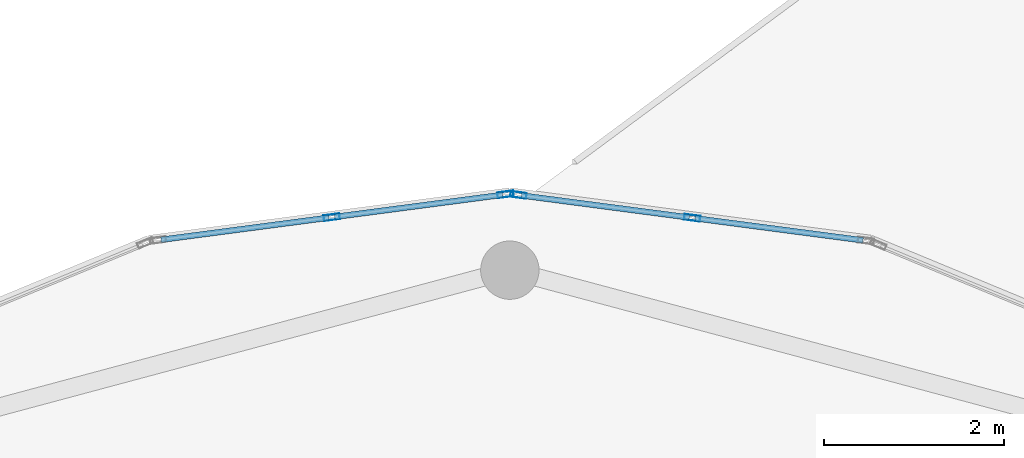
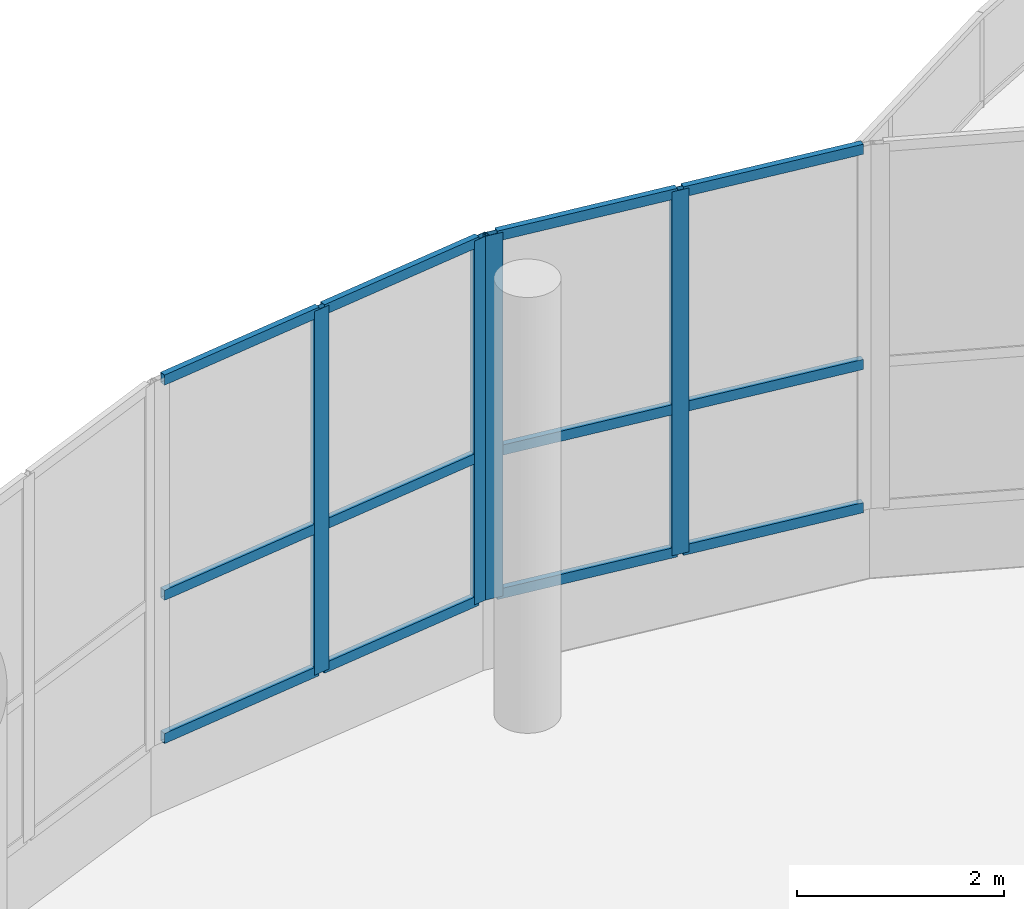
# One storey, part 13 of 101: 16 members, 2 elements without a shape of their own.
"""IFC4 building model written with IfcOpenShell, lengths in metres."""

from ifc_helpers import new_model, si_unit, direction, frame, origin, origin_2d, place, context, subcontext, project, spatial, hollow_rectangle, extrude, material, material_profile, profile_set, type_object, element, aggregate, save


model = new_model("IFC4")

# Units and contexts
model_context = context("Model", 3, precision=1e-05, world=origin(), true_north=direction((0.0, 1.0)))
body_context = subcontext(model_context, "Body", "Model", "MODEL_VIEW")
ifc_project = project(units=[si_unit("LENGTHUNIT", "METRE"), si_unit("AREAUNIT", "SQUARE_METRE"), si_unit("VOLUMEUNIT", "CUBIC_METRE"), si_unit("PLANEANGLEUNIT", "RADIAN"), si_unit("MASSUNIT", "GRAM", prefix="KILO")], contexts=[model_context])

# Site, building, storey
site_placement = place(None, origin())
site = spatial("IfcSite", under=ifc_project, at=site_placement, CompositionType="ELEMENT")
building_placement = place(site_placement, origin())
building = spatial("IfcBuilding", under=site, at=building_placement, Name="Selatvlak General Hospital", CompositionType="ELEMENT")
storey_placement = place(building_placement, frame((0.0, 0.0, 19.199951171875)))
storey = spatial("IfcBuildingStorey", under=building, at=storey_placement, Name="L04", CompositionType="ELEMENT", Elevation=19.199951171875)

# Curtain wall, members
ifc_material_1 = material(Name="Solar-control Low-E double glazing", Category="glass")
curtain_wall_type_1 = type_object("IfcCurtainWallType", Name="CW-CW-05", PredefinedType="USERDEFINED", material=ifc_material_1)
curtain_wall_1_placement = place(storey_placement, origin())
curtain_wall_1 = element("IfcCurtainWall", 1, at=curtain_wall_1_placement, inside=storey, type_object=curtain_wall_type_1, Name="Glazed facade curtain wall CW-L04-0536", ObjectType="STICK GLAZING WALL", PredefinedType="USERDEFINED")
ifc_material_2 = material(Name="Dark anodised aluminium mullion", Category="aluminium")
ifc_material_profile_1 = material_profile(ifc_material_2, hollow_rectangle(XDim=0.06494140625, YDim=0.179931640625, WallThickness=0.00439453125, at=origin_2d()), Name="AL-MUL 65x180x4.5")
ifc_profile_set_1 = profile_set([ifc_material_profile_1], Name="Dark anodised aluminium mullion")
member_type_1 = type_object("IfcMemberType", Name="CWM-02", PredefinedType="MULLION", material=ifc_profile_set_1)
member_1_placement = place(storey_placement, frame((96.01806640625, 69.239013671875, 0.85009765625), z_axis=(0.0, 0.0, 1.0), x_axis=(-0.130611050186, 0.991433685916, 0.0)))
member_1 = element("IfcMember", 2, at=member_1_placement, type_object=member_type_1, Name="CW-05 mullion 2", PredefinedType="MULLION", context=body_context, shape_type="SweptSolid", body=[
    extrude(hollow_rectangle(XDim=0.06494140625, YDim=0.179931640625, WallThickness=0.00439453125, at=origin_2d()), origin(), (0.0, 0.0, 1.0), 4.300048828125),
])
member_2_placement = place(storey_placement, frame((97.95166015625, 69.49365234375, 0.85009765625), z_axis=(0.0, 0.0, 1.0), x_axis=(-0.130611050186, 0.991433685916, 0.0)))
member_2 = element("IfcMember", 3, at=member_2_placement, type_object=member_type_1, Name="CW-05 mullion 3", PredefinedType="MULLION", context=body_context, shape_type="SweptSolid", body=[
    extrude(hollow_rectangle(XDim=0.06494140625, YDim=0.179931640625, WallThickness=0.00439453125, at=origin_2d()), origin(), (0.0, 0.0, 1.0), 4.300048828125),
])

curtain_wall_type_2 = type_object("IfcCurtainWallType", Name="CW-CW-04", PredefinedType="USERDEFINED", material=ifc_material_1)
curtain_wall_2_placement = place(storey_placement, origin())
curtain_wall_2 = element("IfcCurtainWall", 4, at=curtain_wall_2_placement, inside=storey, type_object=curtain_wall_type_2, Name="Glazed facade curtain wall CW-L04-0537", ObjectType="STICK GLAZING WALL", PredefinedType="USERDEFINED")
member_3_placement = place(storey_placement, frame((98.09619140625, 69.48681640625, 0.85009765625), z_axis=(0.0, 0.0, 1.0), x_axis=(0.130363194467, 0.991466306804, 0.0)))
member_3 = element("IfcMember", 5, at=member_3_placement, type_object=member_type_1, Name="CW-04 mullion 1", PredefinedType="MULLION", context=body_context, shape_type="SweptSolid", body=[
    extrude(hollow_rectangle(XDim=0.06494140625, YDim=0.179931640625, WallThickness=0.00439453125, at=origin_2d()), origin(), (0.0, 0.0, 1.0), 4.300048828125),
])
member_4_placement = place(storey_placement, frame((100.030029296875, 69.232421875, 0.85009765625), z_axis=(0.0, 0.0, 1.0), x_axis=(0.130363194467, 0.991466306804, 0.0)))
member_4 = element("IfcMember", 6, at=member_4_placement, type_object=member_type_1, Name="CW-04 mullion 2", PredefinedType="MULLION", context=body_context, shape_type="SweptSolid", body=[
    extrude(hollow_rectangle(XDim=0.06494140625, YDim=0.179931640625, WallThickness=0.00439453125, at=origin_2d()), origin(), (0.0, 0.0, 1.0), 4.300048828125),
])

# Member
ifc_material_profile_2 = material_profile(ifc_material_2, hollow_rectangle(XDim=0.06494140625, YDim=0.1201171875, WallThickness=0.00390625, at=origin_2d()), Name="AL-TRN 65x120x4")
ifc_profile_set_2 = profile_set([ifc_material_profile_2], Name="Dark anodised aluminium mullion")
member_type_2 = type_object("IfcMemberType", Name="CWT-01", PredefinedType="USERDEFINED", material=ifc_profile_set_2)
member_5_placement = place(storey_placement, frame((94.116455078125, 68.988525390625, 0.882568359375), z_axis=(0.991429156787, 0.130645424996, 0.0), x_axis=(-0.130645424996, 0.991429156787, 0.0)))
member_5 = element("IfcMember", 7, at=member_5_placement, type_object=member_type_2, Name="CW-05 transom 1.1", ObjectType="TRANSOM", PredefinedType="USERDEFINED", context=body_context, shape_type="SweptSolid", body=[
    extrude(hollow_rectangle(XDim=0.06494140625, YDim=0.1201171875, WallThickness=0.00390625, at=origin_2d()), origin(), (0.0, 0.0, 1.0), 1.885498046875),
])

member_6_placement = place(storey_placement, frame((94.116455078125, 68.988525390625, 2.574951171875), z_axis=(0.991429156787, 0.130645424996, 0.0), x_axis=(-0.130645424996, 0.991429156787, 0.0)))
member_6 = element("IfcMember", 8, at=member_6_placement, type_object=member_type_2, Name="CW-05 transom 1.2", ObjectType="TRANSOM", PredefinedType="USERDEFINED", context=body_context, shape_type="SweptSolid", body=[
    extrude(hollow_rectangle(XDim=0.06494140625, YDim=0.1201171875, WallThickness=0.00390625, at=origin_2d()), origin(), (0.0, 0.0, 1.0), 1.885498046875),
])

member_7_placement = place(storey_placement, frame((94.116455078125, 68.988525390625, 5.117431640625), z_axis=(0.991429156787, 0.130645424996, 0.0), x_axis=(-0.130645424996, 0.991429156787, 0.0)))
member_7 = element("IfcMember", 9, at=member_7_placement, type_object=member_type_2, Name="CW-05 transom 1.3", ObjectType="TRANSOM", PredefinedType="USERDEFINED", context=body_context, shape_type="SweptSolid", body=[
    extrude(hollow_rectangle(XDim=0.06494140625, YDim=0.1201171875, WallThickness=0.00390625, at=origin_2d()), origin(), (0.0, 0.0, 1.0), 1.885498046875),
])

member_8_placement = place(storey_placement, frame((96.05029296875, 69.2431640625, 0.882568359375), z_axis=(0.991429156787, 0.130645424996, 0.0), x_axis=(-0.130645424996, 0.991429156787, 0.0)))
member_8 = element("IfcMember", 10, at=member_8_placement, type_object=member_type_2, Name="CW-05 transom 2.1", ObjectType="TRANSOM", PredefinedType="USERDEFINED", context=body_context, shape_type="SweptSolid", body=[
    extrude(hollow_rectangle(XDim=0.06494140625, YDim=0.1201171875, WallThickness=0.00390625, at=origin_2d()), origin(), (0.0, 0.0, 1.0), 1.885498046875),
])

member_9_placement = place(storey_placement, frame((96.05029296875, 69.2431640625, 2.574951171875), z_axis=(0.991429156787, 0.130645424996, 0.0), x_axis=(-0.130645424996, 0.991429156787, 0.0)))
member_9 = element("IfcMember", 11, at=member_9_placement, type_object=member_type_2, Name="CW-05 transom 2.2", ObjectType="TRANSOM", PredefinedType="USERDEFINED", context=body_context, shape_type="SweptSolid", body=[
    extrude(hollow_rectangle(XDim=0.06494140625, YDim=0.1201171875, WallThickness=0.00390625, at=origin_2d()), origin(), (0.0, 0.0, 1.0), 1.885498046875),
])

member_10_placement = place(storey_placement, frame((96.05029296875, 69.2431640625, 5.117431640625), z_axis=(0.991429156787, 0.130645424996, 0.0), x_axis=(-0.130645424996, 0.991429156787, 0.0)))
member_10 = element("IfcMember", 12, at=member_10_placement, type_object=member_type_2, Name="CW-05 transom 2.3", ObjectType="TRANSOM", PredefinedType="USERDEFINED", context=body_context, shape_type="SweptSolid", body=[
    extrude(hollow_rectangle(XDim=0.06494140625, YDim=0.1201171875, WallThickness=0.00390625, at=origin_2d()), origin(), (0.0, 0.0, 1.0), 1.885498046875),
])

aggregate(curtain_wall_1, [member_1, member_2, member_5, member_6, member_7, member_8, member_9, member_10])

member_11_placement = place(storey_placement, frame((98.12841796875, 69.482421875, 0.882568359375), z_axis=(0.991479398807, -0.130263585634, 0.0), x_axis=(0.130263585634, 0.991479398807, 0.0)))
member_11 = element("IfcMember", 13, at=member_11_placement, type_object=member_type_2, Name="CW-04 transom 1.1", ObjectType="TRANSOM", PredefinedType="USERDEFINED", context=body_context, shape_type="SweptSolid", body=[
    extrude(hollow_rectangle(XDim=0.06494140625, YDim=0.1201171875, WallThickness=0.00390625, at=origin_2d()), origin(), (0.0, 0.0, 1.0), 1.885498046875),
])

member_12_placement = place(storey_placement, frame((98.12841796875, 69.482421875, 2.574951171875), z_axis=(0.991479398807, -0.130263585634, 0.0), x_axis=(0.130263585634, 0.991479398807, 0.0)))
member_12 = element("IfcMember", 14, at=member_12_placement, type_object=member_type_2, Name="CW-04 transom 1.2", ObjectType="TRANSOM", PredefinedType="USERDEFINED", context=body_context, shape_type="SweptSolid", body=[
    extrude(hollow_rectangle(XDim=0.06494140625, YDim=0.1201171875, WallThickness=0.00390625, at=origin_2d()), origin(), (0.0, 0.0, 1.0), 1.885498046875),
])

member_13_placement = place(storey_placement, frame((98.12841796875, 69.482421875, 5.117431640625), z_axis=(0.991479398807, -0.130263585634, 0.0), x_axis=(0.130263585634, 0.991479398807, 0.0)))
member_13 = element("IfcMember", 15, at=member_13_placement, type_object=member_type_2, Name="CW-04 transom 1.3", ObjectType="TRANSOM", PredefinedType="USERDEFINED", context=body_context, shape_type="SweptSolid", body=[
    extrude(hollow_rectangle(XDim=0.06494140625, YDim=0.1201171875, WallThickness=0.00390625, at=origin_2d()), origin(), (0.0, 0.0, 1.0), 1.885498046875),
])

member_14_placement = place(storey_placement, frame((100.062255859375, 69.228271484375, 0.882568359375), z_axis=(0.991462667241, -0.13039087187, 0.0), x_axis=(0.13039087187, 0.991462667241, 0.0)))
member_14 = element("IfcMember", 16, at=member_14_placement, type_object=member_type_2, Name="CW-04 transom 2.1", ObjectType="TRANSOM", PredefinedType="USERDEFINED", context=body_context, shape_type="SweptSolid", body=[
    extrude(hollow_rectangle(XDim=0.06494140625, YDim=0.1201171875, WallThickness=0.00390625, at=origin_2d()), origin(), (0.0, 0.0, 1.0), 1.885498046875),
])

member_15_placement = place(storey_placement, frame((100.062255859375, 69.228271484375, 2.574951171875), z_axis=(0.991462667241, -0.13039087187, 0.0), x_axis=(0.13039087187, 0.991462667241, 0.0)))
member_15 = element("IfcMember", 17, at=member_15_placement, type_object=member_type_2, Name="CW-04 transom 2.2", ObjectType="TRANSOM", PredefinedType="USERDEFINED", context=body_context, shape_type="SweptSolid", body=[
    extrude(hollow_rectangle(XDim=0.06494140625, YDim=0.1201171875, WallThickness=0.00390625, at=origin_2d()), origin(), (0.0, 0.0, 1.0), 1.885498046875),
])

member_16_placement = place(storey_placement, frame((100.062255859375, 69.228271484375, 5.117431640625), z_axis=(0.991462667241, -0.13039087187, 0.0), x_axis=(0.13039087187, 0.991462667241, 0.0)))
member_16 = element("IfcMember", 18, at=member_16_placement, type_object=member_type_2, Name="CW-04 transom 2.3", ObjectType="TRANSOM", PredefinedType="USERDEFINED", context=body_context, shape_type="SweptSolid", body=[
    extrude(hollow_rectangle(XDim=0.06494140625, YDim=0.1201171875, WallThickness=0.00390625, at=origin_2d()), origin(), (0.0, 0.0, 1.0), 1.885498046875),
])

aggregate(curtain_wall_2, [member_3, member_4, member_11, member_12, member_13, member_14, member_15, member_16])

save(model, "model.ifc")
